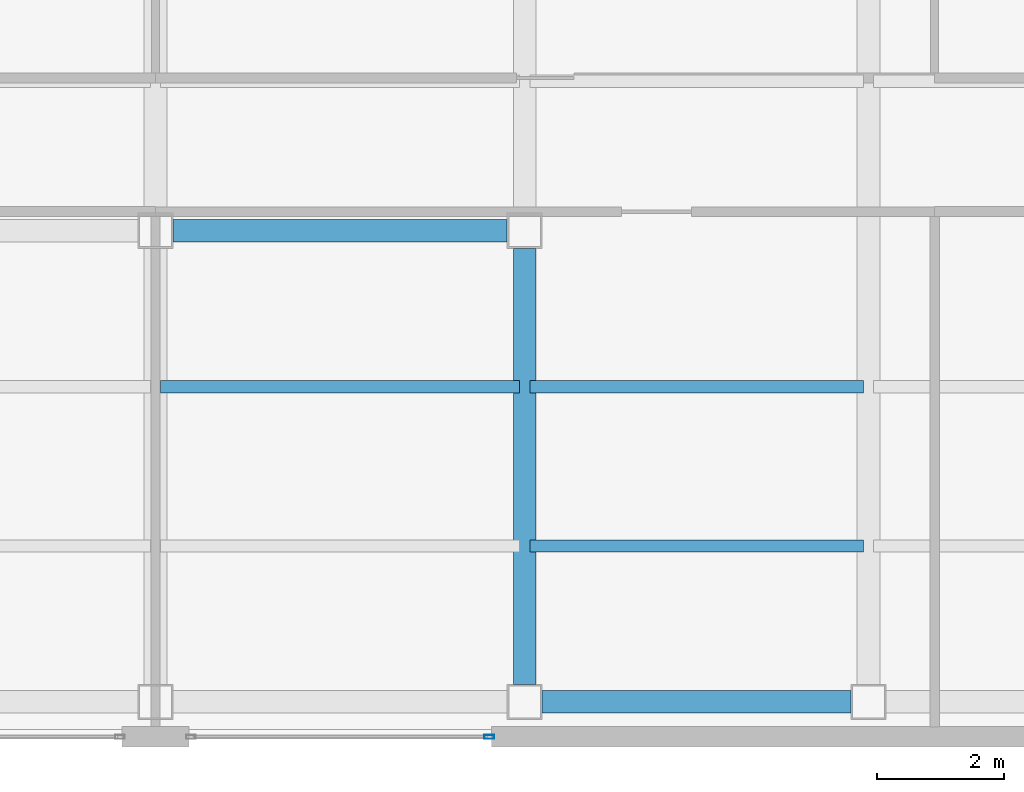
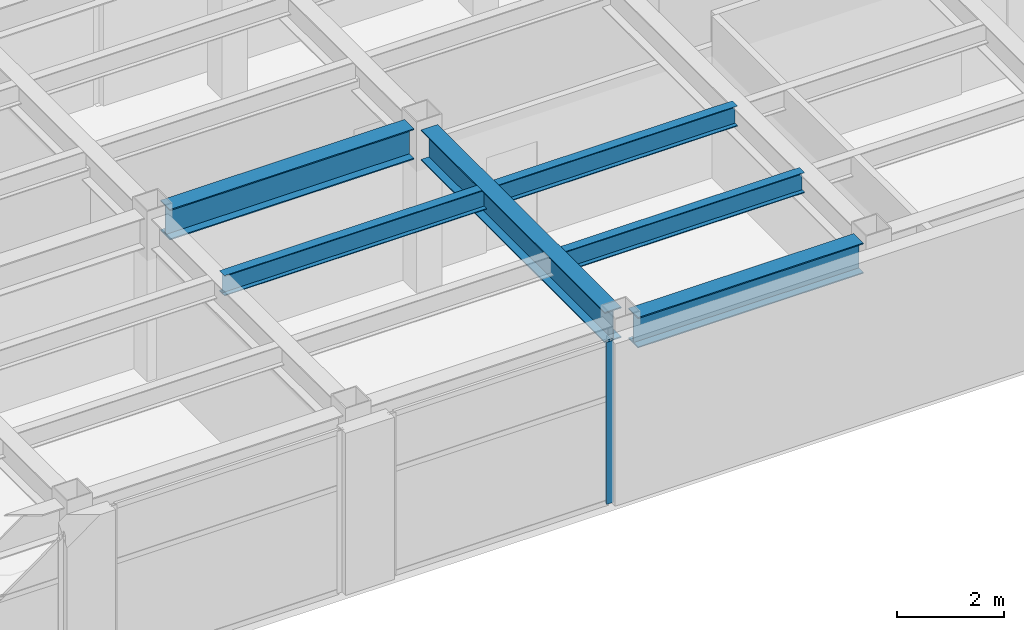
# One storey, part 7 of 16: 6 beams, 1 member, 1 element without a shape of its own.
"""IFC4 building model written with IfcOpenShell, lengths in metres."""

from ifc_helpers import new_model, si_unit, direction, frame, origin, origin_2d, place, context, subcontext, project, spatial, hollow_rectangle, i_section, extrude, material, layer, layer_set, material_profile, profile_set, type_object, element, aggregate, save


model = new_model("IFC4")

# Units and contexts
model_context = context("Model", 3, precision=1e-05, world=origin(), true_north=direction((0.0, 1.0)))
body_context = subcontext(model_context, "Body", "Model", "MODEL_VIEW")
ifc_project = project(units=[si_unit("LENGTHUNIT", "METRE"), si_unit("AREAUNIT", "SQUARE_METRE"), si_unit("VOLUMEUNIT", "CUBIC_METRE"), si_unit("PLANEANGLEUNIT", "RADIAN"), si_unit("MASSUNIT", "GRAM", prefix="KILO")], contexts=[model_context])

# Site, building, storey
site_placement = place(None, origin())
site = spatial("IfcSite", under=ifc_project, at=site_placement, CompositionType="ELEMENT")
building_placement = place(site_placement, origin())
building = spatial("IfcBuilding", under=site, at=building_placement, Name="Mawjaban Terraces University", CompositionType="ELEMENT")
storey_placement = place(building_placement, frame((0.0, 0.0, 38.800048828125)))
storey = spatial("IfcBuildingStorey", under=building, at=storey_placement, Name="L08", CompositionType="ELEMENT", Elevation=38.800048828125)

# Beams
ifc_material_1 = material(Name="Steel ASTM A572 Grade 50", Category="steel")
ifc_material_profile_1 = material_profile(ifc_material_1, i_section(OverallWidth=0.35498046875, OverallDepth=0.695068359375, WebThickness=0.015380859375, FlangeThickness=0.02490234375, at=origin_2d()), Name="W690X217")
ifc_profile_set_1 = profile_set([ifc_material_profile_1], Name="Steel ASTM A572 Grade 50")
beam_type_1 = type_object("IfcBeamType", Name="Beam_B_W690X217", PredefinedType="BEAM", material=ifc_profile_set_1)
beam_1_placement = place(storey_placement, frame((58.074951171875, 0.550048828125, 3.343017578125), z_axis=(1.0, 0.0, 0.0), x_axis=(0.0, 1.0, 0.0)))
element("IfcBeam", 1, at=beam_1_placement, inside=storey, type_object=beam_type_1, Name="L08 Beam BM-L08-EW-04", PredefinedType="BEAM", context=body_context, shape_type="SweptSolid", body=[
    extrude(i_section(OverallWidth=0.35498046875, OverallDepth=0.695068359375, WebThickness=0.015380859375, FlangeThickness=0.02490234375, at=origin_2d()), origin(), (0.0, 0.0, 1.0), 4.85009765625),
])
beam_2_placement = place(storey_placement, frame((52.27490234375, 7.949951171875, 3.343017578125), z_axis=(1.0, 0.0, 0.0), x_axis=(0.0, 1.0, 0.0)))
element("IfcBeam", 2, at=beam_2_placement, inside=storey, type_object=beam_type_1, Name="L08 Beam BM-L08-EW-08", PredefinedType="BEAM", context=body_context, shape_type="SweptSolid", body=[
    extrude(i_section(OverallWidth=0.35498046875, OverallDepth=0.695068359375, WebThickness=0.015380859375, FlangeThickness=0.02490234375, at=origin_2d()), origin(), (0.0, 0.0, 1.0), 5.25),
])
beam_3_placement = place(storey_placement, frame((57.800048828125, 0.824951171875, 3.343017578125), z_axis=(0.0, 1.0, 0.0), x_axis=(-1.0, 0.0, 0.0)))
element("IfcBeam", 3, at=beam_3_placement, inside=storey, type_object=beam_type_1, Name="L08 Beam BM-L08-NS-18", PredefinedType="BEAM", context=body_context, shape_type="SweptSolid", body=[
    extrude(i_section(OverallWidth=0.35498046875, OverallDepth=0.695068359375, WebThickness=0.015380859375, FlangeThickness=0.02490234375, at=origin_2d()), origin(), (0.0, 0.0, 1.0), 6.85009765625),
])
ifc_material_profile_2 = material_profile(ifc_material_1, i_section(OverallWidth=0.19189453125, OverallDepth=0.462890625, WebThickness=0.010498046875, FlangeThickness=0.017578125, at=origin_2d()), Name="W460X89")
ifc_profile_set_2 = profile_set([ifc_material_profile_2], Name="Steel ASTM A572 Grade 50")
beam_type_2 = type_object("IfcBeamType", Name="Beam_J_W460X89", PredefinedType="JOIST", material=ifc_profile_set_2)
beam_4_placement = place(storey_placement, frame((57.8798828125, 3.0, 3.458984375), z_axis=(1.0, 0.0, 0.0), x_axis=(0.0, 1.0, 0.0)))
element("IfcBeam", 4, at=beam_4_placement, inside=storey, type_object=beam_type_2, Name="L08 Composite Joist JST-L08-04", PredefinedType="JOIST", context=body_context, shape_type="SweptSolid", body=[
    extrude(i_section(OverallWidth=0.19189453125, OverallDepth=0.462890625, WebThickness=0.010498046875, FlangeThickness=0.017578125, at=origin_2d()), origin(), (0.0, 0.0, 1.0), 5.240234375),
])
beam_5_placement = place(storey_placement, frame((52.080078125, 5.5, 3.458984375), z_axis=(1.0, 0.0, 0.0), x_axis=(0.0, 1.0, 0.0)))
element("IfcBeam", 5, at=beam_5_placement, inside=storey, type_object=beam_type_2, Name="L08 Composite Joist JST-L08-08", PredefinedType="JOIST", context=body_context, shape_type="SweptSolid", body=[
    extrude(i_section(OverallWidth=0.19189453125, OverallDepth=0.462890625, WebThickness=0.010498046875, FlangeThickness=0.017578125, at=origin_2d()), origin(), (0.0, 0.0, 1.0), 5.639892578125),
])
beam_6_placement = place(storey_placement, frame((57.8798828125, 5.5, 3.458984375), z_axis=(1.0, 0.0, 0.0), x_axis=(0.0, 1.0, 0.0)))
element("IfcBeam", 6, at=beam_6_placement, inside=storey, type_object=beam_type_2, Name="L08 Composite Joist JST-L08-09", PredefinedType="JOIST", context=body_context, shape_type="SweptSolid", body=[
    extrude(i_section(OverallWidth=0.19189453125, OverallDepth=0.462890625, WebThickness=0.010498046875, FlangeThickness=0.017578125, at=origin_2d()), origin(), (0.0, 0.0, 1.0), 5.240234375),
])

# Curtain wall, member
ifc_material_2 = material(Name="Anodised aluminium 6063-T6 and solar-control low-E glass", Category="aluminium")
ifc_layer = layer(ifc_material_2, 0.1650390625)
ifc_layer_set = layer_set([ifc_layer], Name="Anodised aluminium 6063-T6 and solar-control low-E glass")
curtain_wall_type = type_object("IfcCurtainWallType", Name="CWSystem_04_EastWing", PredefinedType="NOTDEFINED", material=ifc_layer_set)
curtain_wall_placement = place(storey_placement, origin())
curtain_wall = element("IfcCurtainWall", 7, at=curtain_wall_placement, inside=storey, type_object=curtain_wall_type, Name="L08 Curtain Wall CW-04 Run 1.4", PredefinedType="NOTDEFINED")
ifc_material_3 = material(Name="Anodised aluminium 6063-T6", Category="aluminium")
ifc_material_profile_3 = material_profile(ifc_material_3, hollow_rectangle(XDim=0.06005859375, YDim=0.14990234375, WallThickness=0.00390625, at=origin_2d()), Name="ALU150X60X4")
ifc_profile_set_3 = profile_set([ifc_material_profile_3], Name="Anodised aluminium 6063-T6")
member_type = type_object("IfcMemberType", Name="Mullion_CW-04", PredefinedType="MULLION", material=ifc_profile_set_3)
member_placement = place(storey_placement, frame((57.242431640625, 0.0, 0.0), z_axis=(0.0, 0.0, 1.0), x_axis=(0.0, 1.0, 0.0)))
member = element("IfcMember", 8, at=member_placement, type_object=member_type, Name="CW-04 mullion 2", PredefinedType="MULLION", context=body_context, shape_type="SweptSolid", body=[
    extrude(hollow_rectangle(XDim=0.06005859375, YDim=0.14990234375, WallThickness=0.00390625, at=origin_2d()), origin(), (0.0, 0.0, 1.0), 3.68994140625),
])
aggregate(curtain_wall, [member])

save(model, "model.ifc")
